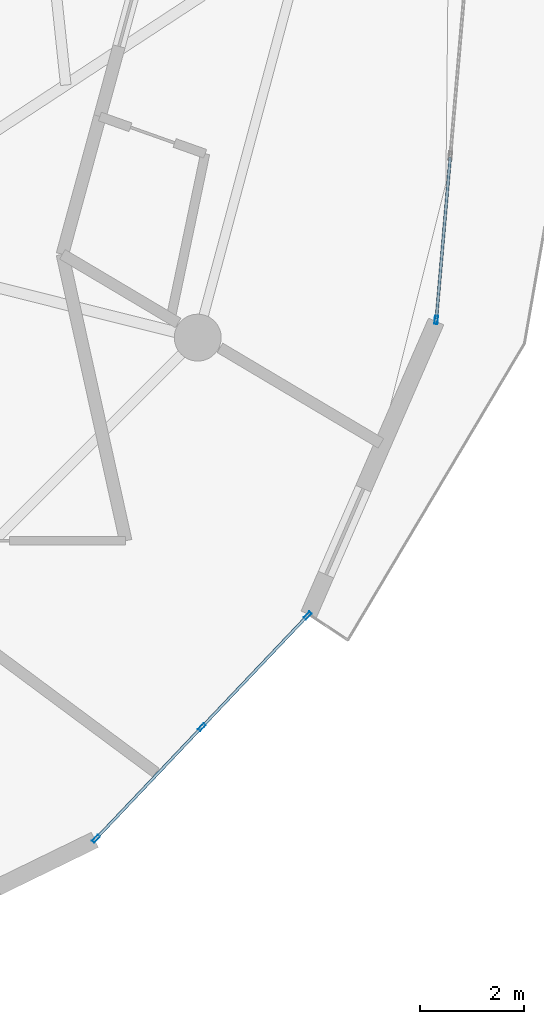
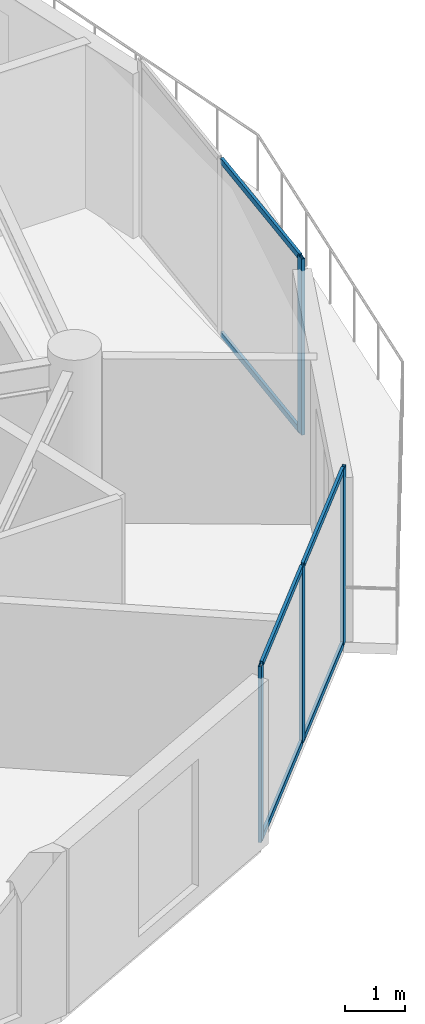
# One storey, part 11 of 23: 10 members, 2 elements without a shape of their own.
"""IFC4 building model written with IfcOpenShell, lengths in metres."""

from ifc_helpers import new_model, si_unit, direction, frame, origin, origin_2d, place, context, subcontext, project, spatial, hollow_rectangle, extrude, source, transform, mapped, material, layer, layer_set, material_profile, profile_set, type_object, element, aggregate, save


model = new_model("IFC4")

# Units and contexts
model_context = context("Model", 3, precision=1e-05, world=origin(), true_north=direction((0.0, 1.0)))
body_context = subcontext(model_context, "Body", "Model", "MODEL_VIEW")
ifc_project = project(units=[si_unit("LENGTHUNIT", "METRE"), si_unit("AREAUNIT", "SQUARE_METRE"), si_unit("VOLUMEUNIT", "CUBIC_METRE"), si_unit("PLANEANGLEUNIT", "RADIAN"), si_unit("MASSUNIT", "GRAM", prefix="KILO")], contexts=[model_context])

# Site, building, storey
site_placement = place(None, origin())
site = spatial("IfcSite", under=ifc_project, at=site_placement, CompositionType="ELEMENT")
building_placement = place(site_placement, origin())
building = spatial("IfcBuilding", under=site, at=building_placement, Name="Solvirekh Grand Hotel", CompositionType="ELEMENT")
storey_placement = place(building_placement, frame((0.0, 0.0, 180.39990234375)))
storey = spatial("IfcBuildingStorey", under=building, at=storey_placement, Name="L46", CompositionType="ELEMENT", Elevation=180.39990234375)

# Curtain wall, members
ifc_material = material(Name="Anodized Bronze Aluminium 6063-T6", Category="aluminium")
ifc_layer = layer(ifc_material, 0.159912109375)
ifc_layer_set = layer_set([ifc_layer], Name="Anodized Bronze Aluminium 6063-T6")
curtain_wall_type = type_object("IfcCurtainWallType", Name="CW_Sys4_HighZoneFlushBronzeCW", PredefinedType="NOTDEFINED", material=ifc_layer_set)
curtain_wall_1_placement = place(storey_placement, origin())
curtain_wall_1 = element("IfcCurtainWall", 1, at=curtain_wall_1_placement, inside=storey, type_object=curtain_wall_type, Name="L46 unitised bronze-glass curtain wall CW-L46-C01", PredefinedType="NOTDEFINED")
ifc_material_profile_1 = material_profile(ifc_material, hollow_rectangle(XDim=0.06005859375, YDim=0.159912109375, WallThickness=0.0048828125, at=origin_2d()), Name="ALU RHS 160X60X5")
ifc_profile_set_1 = profile_set([ifc_material_profile_1], Name="Anodized Bronze Aluminium 6063-T6")
member_type_1 = type_object("IfcMemberType", Name="CWMullion_Sys4", PredefinedType="MULLION", material=ifc_profile_set_1)
shared_shape_1 = source(origin(), body_context, "Body", "SweptSolid", [
    extrude(hollow_rectangle(XDim=0.06005859375, YDim=0.159912109375, WallThickness=0.0048828125, at=origin_2d()), origin(), (0.0, 0.0, 1.0), 3.60009765625),
])
member_1_placement = place(storey_placement, frame((11.728759765625, -17.520263671875, 0.0), z_axis=(0.0, 0.0, 1.0), x_axis=(-0.725547377968, 0.688172218506, 0.0)))
member_1 = element("IfcMember", 2, at=member_1_placement, type_object=member_type_1, Name="U04 mullion 1", PredefinedType="MULLION", context=body_context, shape_type="MappedRepresentation", body=[
    mapped(shared_shape_1, transform((0.0, 0.0, 0.0), x_axis=(1.0, 0.0, 0.0), y_axis=(0.0, 1.0, 0.0), z_axis=(0.0, 0.0, 1.0), scale=1.0)),
])
member_2_placement = place(storey_placement, frame((13.760986328125, -15.37744140625, 0.0), z_axis=(0.0, 0.0, 1.0), x_axis=(-0.725547377968, 0.688172218506, 0.0)))
member_2 = element("IfcMember", 3, at=member_2_placement, type_object=member_type_1, Name="U04 mullion 2", PredefinedType="MULLION", context=body_context, shape_type="MappedRepresentation", body=[
    mapped(shared_shape_1, transform((0.0, 0.0, 0.0), x_axis=(1.0, 0.0, 0.0), y_axis=(0.0, 1.0, 0.0), z_axis=(0.0, 0.0, 1.0), scale=1.0)),
])
member_3_placement = place(storey_placement, frame((15.79345703125, -13.23486328125, 0.0), z_axis=(0.0, 0.0, 1.0), x_axis=(-0.725547377968, 0.688172218506, 0.0)))
member_3 = element("IfcMember", 4, at=member_3_placement, type_object=member_type_1, Name="U04 mullion 3", PredefinedType="MULLION", context=body_context, shape_type="MappedRepresentation", body=[
    mapped(shared_shape_1, transform((0.0, 0.0, 0.0), x_axis=(1.0, 0.0, 0.0), y_axis=(0.0, 1.0, 0.0), z_axis=(0.0, 0.0, 1.0), scale=1.0)),
])

# Curtain wall, member
curtain_wall_2_placement = place(storey_placement, origin())
curtain_wall_2 = element("IfcCurtainWall", 5, at=curtain_wall_2_placement, inside=storey, type_object=curtain_wall_type, Name="L46 unitised bronze-glass curtain wall CW-L46-C03", PredefinedType="NOTDEFINED")
member_4_placement = place(storey_placement, frame((18.262451171875, -7.56005859375, 0.0), z_axis=(0.0, 0.0, 1.0), x_axis=(-0.996355395292, 0.085299040279, 0.0)))
member_4 = element("IfcMember", 6, at=member_4_placement, type_object=member_type_1, Name="U04 mullion 1", PredefinedType="MULLION", context=body_context, shape_type="MappedRepresentation", body=[
    mapped(shared_shape_1, transform((0.0, 0.0, 0.0), x_axis=(1.0, 0.0, 0.0), y_axis=(0.0, 1.0, 0.0), z_axis=(0.0, 0.0, 1.0), scale=1.0)),
])

# Member
ifc_material_profile_2 = material_profile(ifc_material, hollow_rectangle(XDim=0.054931640625, YDim=0.1201171875, WallThickness=0.00390625, at=origin_2d()), Name="ALU RHS 120X55X4")
ifc_profile_set_2 = profile_set([ifc_material_profile_2], Name="Anodized Bronze Aluminium 6063-T6")
member_type_2 = type_object("IfcMemberType", Name="CWTransom_Sys4", PredefinedType="USERDEFINED", material=ifc_profile_set_2)
shared_shape_2 = source(origin(), body_context, "Body", "SweptSolid", [
    extrude(hollow_rectangle(XDim=0.054931640625, YDim=0.1201171875, WallThickness=0.00390625, at=origin_2d()), origin(), (0.0, 0.0, 1.0), 2.893310546875),
])
member_5_placement = place(storey_placement, frame((11.749267578125, -17.49853515625, 0.027587890625), z_axis=(0.688126053056, 0.725591162505, 0.0), x_axis=(-0.725591162505, 0.688126053056, 0.0)))
member_5 = element("IfcMember", 7, at=member_5_placement, type_object=member_type_2, Name="U04 transom 1.1", ObjectType="TRANSOM", PredefinedType="USERDEFINED", context=body_context, shape_type="MappedRepresentation", body=[
    mapped(shared_shape_2, transform((0.0, 0.0, 0.0), x_axis=(1.0, 0.0, 0.0), y_axis=(0.0, 1.0, 0.0), z_axis=(0.0, 0.0, 1.0), scale=1.0)),
])

member_6_placement = place(storey_placement, frame((11.749267578125, -17.49853515625, 3.572509765625), z_axis=(0.688126053056, 0.725591162505, 0.0), x_axis=(-0.725591162505, 0.688126053056, 0.0)))
member_6 = element("IfcMember", 8, at=member_6_placement, type_object=member_type_2, Name="U04 transom 1.2", ObjectType="TRANSOM", PredefinedType="USERDEFINED", context=body_context, shape_type="MappedRepresentation", body=[
    mapped(shared_shape_2, transform((0.0, 0.0, 0.0), x_axis=(1.0, 0.0, 0.0), y_axis=(0.0, 1.0, 0.0), z_axis=(0.0, 0.0, 1.0), scale=1.0)),
])

shared_shape_3 = source(origin(), body_context, "Body", "SweptSolid", [
    extrude(hollow_rectangle(XDim=0.054931640625, YDim=0.1201171875, WallThickness=0.00390625, at=origin_2d()), origin(), (0.0, 0.0, 1.0), 2.89306640625),
])
member_7_placement = place(storey_placement, frame((13.78173828125, -15.355712890625, 0.027587890625), z_axis=(0.688168185694, 0.725551203016, 0.0), x_axis=(-0.725551203016, 0.688168185694, 0.0)))
member_7 = element("IfcMember", 9, at=member_7_placement, type_object=member_type_2, Name="U04 transom 2.1", ObjectType="TRANSOM", PredefinedType="USERDEFINED", context=body_context, shape_type="MappedRepresentation", body=[
    mapped(shared_shape_3, transform((0.0, 0.0, 0.0), x_axis=(1.0, 0.0, 0.0), y_axis=(0.0, 1.0, 0.0), z_axis=(0.0, 0.0, 1.0), scale=1.0)),
])

member_8_placement = place(storey_placement, frame((13.78173828125, -15.355712890625, 3.572509765625), z_axis=(0.688168185694, 0.725551203016, 0.0), x_axis=(-0.725551203016, 0.688168185694, 0.0)))
member_8 = element("IfcMember", 10, at=member_8_placement, type_object=member_type_2, Name="U04 transom 2.2", ObjectType="TRANSOM", PredefinedType="USERDEFINED", context=body_context, shape_type="MappedRepresentation", body=[
    mapped(shared_shape_3, transform((0.0, 0.0, 0.0), x_axis=(1.0, 0.0, 0.0), y_axis=(0.0, 1.0, 0.0), z_axis=(0.0, 0.0, 1.0), scale=1.0)),
])

aggregate(curtain_wall_1, [member_1, member_2, member_3, member_5, member_6, member_7, member_8])

shared_shape_4 = source(origin(), body_context, "Body", "SweptSolid", [
    extrude(hollow_rectangle(XDim=0.054931640625, YDim=0.1201171875, WallThickness=0.00390625, at=origin_2d()), origin(), (0.0, 0.0, 1.0), 3.1044921875),
])
member_9_placement = place(storey_placement, frame((18.26513671875, -7.5302734375, 0.027587890625), z_axis=(0.085323075845, 0.99635333729, 0.0), x_axis=(-0.99635333729, 0.085323075845, 0.0)))
member_9 = element("IfcMember", 11, at=member_9_placement, type_object=member_type_2, Name="U04 transom 1.1", ObjectType="TRANSOM", PredefinedType="USERDEFINED", context=body_context, shape_type="MappedRepresentation", body=[
    mapped(shared_shape_4, transform((0.0, 0.0, 0.0), x_axis=(1.0, 0.0, 0.0), y_axis=(0.0, 1.0, 0.0), z_axis=(0.0, 0.0, 1.0), scale=1.0)),
])

member_10_placement = place(storey_placement, frame((18.26513671875, -7.5302734375, 3.572509765625), z_axis=(0.085323075845, 0.99635333729, 0.0), x_axis=(-0.99635333729, 0.085323075845, 0.0)))
member_10 = element("IfcMember", 12, at=member_10_placement, type_object=member_type_2, Name="U04 transom 1.2", ObjectType="TRANSOM", PredefinedType="USERDEFINED", context=body_context, shape_type="MappedRepresentation", body=[
    mapped(shared_shape_4, transform((0.0, 0.0, 0.0), x_axis=(1.0, 0.0, 0.0), y_axis=(0.0, 1.0, 0.0), z_axis=(0.0, 0.0, 1.0), scale=1.0)),
])

aggregate(curtain_wall_2, [member_4, member_9, member_10])

save(model, "model.ifc")
